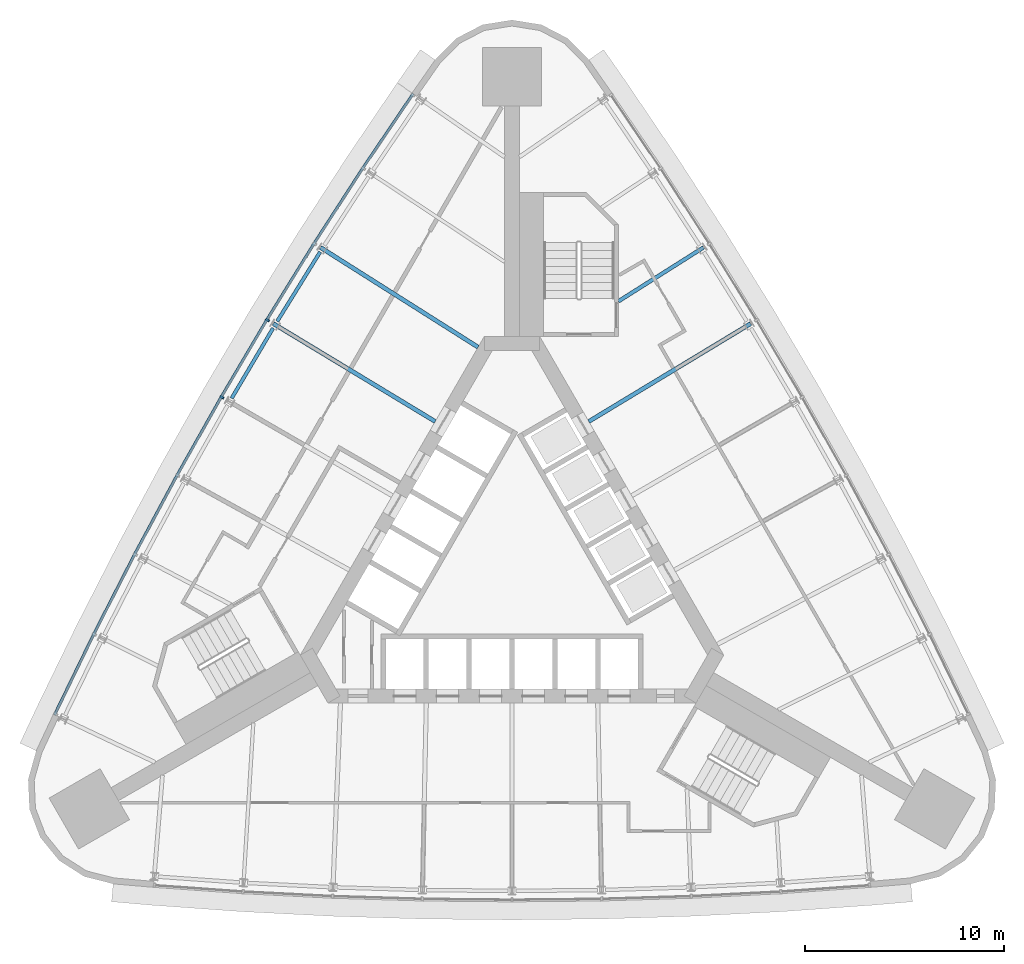
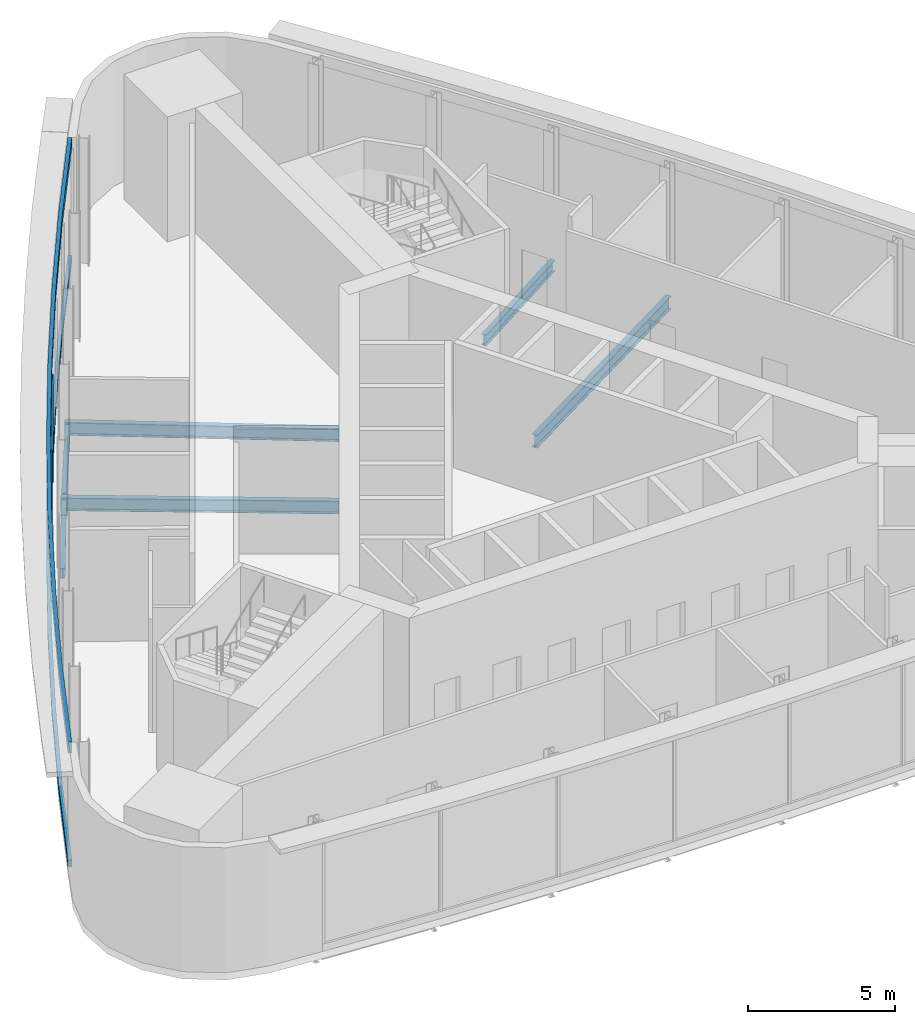
# One storey, part 3 of 11: 6 beams, 4 members, 1 element without a shape of its own.
"""IFC4 building model written with IfcOpenShell, lengths in metres."""

import ifcopenshell
import ifcopenshell.guid

model = None  # the IFC model being written
_history = None  # IfcOwnerHistory: only IFC2X3 demands one
_inside = {}  # id of a spatial element -> (the spatial element, [elements in it])
_under = {}  # id of a project, library or spatial element -> (it, [spatial elements below it])
_declared = {}  # id of a project -> (the project, [libraries it declares])
_typed = {}  # id of a type object -> (the type object, [elements of that type])
_made_of = {}  # id of a material, layer set ... -> (it, [elements and type objects made of it])


def new_model(schema):
    """Start an empty IFC model of exactly this schema.

    Asked for "IFC4X3", IfcOpenShell would pick the latest addendum, in which some entities
    have other attributes; the version numbers below select the first issue.
    IFC2X3 requires an IfcOwnerHistory on every rooted entity: one is made here for all.
    """
    global model, _history
    if schema == "IFC4X3":
        model = ifcopenshell.file(schema_version=(4, 3, 0, 0))
    else:
        model = ifcopenshell.file(schema=schema)
    _inside.clear()
    _under.clear()
    _declared.clear()
    _typed.clear()
    _made_of.clear()
    _history = None
    if model.schema == "IFC2X3":
        org = make("IfcOrganization", Name="unknown")
        user = make(
            "IfcPersonAndOrganization",
            ThePerson=make("IfcPerson", FamilyName="unknown"),
            TheOrganization=org,
        )
        app = make(
            "IfcApplication",
            ApplicationDeveloper=org,
            Version="unknown",
            ApplicationFullName="unknown",
            ApplicationIdentifier="unknown",
        )
        _history = make(
            "IfcOwnerHistory",
            OwningUser=user,
            OwningApplication=app,
            ChangeAction="ADDED",
            CreationDate=0,
        )
    return model


def make(cls, **values):
    """One entity of the class cls with the attributes given. An attribute that is None is left unset."""
    return model.create_entity(
        cls, **{name: value for name, value in values.items() if value is not None}
    )


def rooted(cls, **values):
    """An entity with a GlobalId (a new one), such as an element, a storey or a relation."""
    return make(cls, GlobalId=ifcopenshell.guid.new(), OwnerHistory=_history, **values)


def si_unit(unit_type, name, prefix=None):
    """IfcSIUnit, for example si_unit("LENGTHUNIT", "METRE", prefix="MILLI")."""
    return make("IfcSIUnit", UnitType=unit_type, Prefix=prefix, Name=name)


def assignment(units):
    """IfcUnitAssignment: the units of a project."""
    return None if units is None else make("IfcUnitAssignment", Units=units)


def point(xyz):
    """IfcCartesianPoint."""
    return None if xyz is None else make("IfcCartesianPoint", Coordinates=xyz)


def direction(xyz):
    """IfcDirection."""
    return None if xyz is None else make("IfcDirection", DirectionRatios=xyz)


def frame(location, z_axis=None, x_axis=None):
    """IfcAxis2Placement3D, a coordinate frame: its origin and axes. An axis left out is left unset."""
    return make(
        "IfcAxis2Placement3D",
        Location=point(location),
        Axis=direction(z_axis),
        RefDirection=direction(x_axis),
    )


def frame_2d(location, x_axis=None):
    """IfcAxis2Placement2D, a coordinate frame in the plane: its origin and x axis."""
    return make(
        "IfcAxis2Placement2D", Location=point(location), RefDirection=direction(x_axis)
    )


def origin():
    """The frame at (0, 0, 0) with its axes left unset."""
    return frame((0.0, 0.0, 0.0))


def origin_2d():
    """The frame at (0, 0) in the plane with its x axis left unset."""
    return frame_2d((0.0, 0.0))


def place(relative_to, where):
    """IfcLocalPlacement: puts the frame where relative to a parent placement (None: the world)."""
    return make(
        "IfcLocalPlacement", PlacementRelTo=relative_to, RelativePlacement=where
    )


def context(
    kind, dimensions, precision=None, world=None, true_north=None, identifier=None
):
    """IfcGeometricRepresentationContext, for example the 3D "Model" context."""
    return make(
        "IfcGeometricRepresentationContext",
        ContextIdentifier=identifier,
        ContextType=kind,
        CoordinateSpaceDimension=dimensions,
        Precision=precision,
        WorldCoordinateSystem=world,
        TrueNorth=true_north,
    )


def subcontext(parent, identifier, kind, view, scale=None):
    """IfcGeometricRepresentationSubContext, for example "Body" below "Model"."""
    return make(
        "IfcGeometricRepresentationSubContext",
        ContextIdentifier=identifier,
        ContextType=kind,
        ParentContext=parent,
        TargetScale=scale,
        TargetView=view,
    )


def project(units=None, contexts=None):
    """IfcProject with its units and contexts."""
    return rooted(
        "IfcProject",
        Name="project",
        RepresentationContexts=contexts,
        UnitsInContext=assignment(units),
    )


def spatial(cls, under=None, at=None, **own):
    """A site, building, storey or space (cls), placed at a placement, below another one or the project."""
    s = rooted(cls, ObjectPlacement=at, **own)
    if under is not None:
        _under.setdefault(under.id(), (under, []))[1].append(s)
    return s


def polyline(points):
    """IfcPolyline through the points."""
    return make("IfcPolyline", Points=[point(p) for p in points])


def profile(cls, at=None, kind="AREA", **sizes):
    """A parametric profile (cls). Its sizes go by their IFC names, for example OverallWidth=200.0."""
    return make(cls, ProfileType=kind, Position=at, **sizes)


def rectangle(**sizes):
    """IfcRectangleProfileDef."""
    return profile("IfcRectangleProfileDef", **sizes)


def i_section(**sizes):
    """IfcIShapeProfileDef."""
    return profile("IfcIShapeProfileDef", **sizes)


def outline(outer, holes=None, kind="AREA"):
    """IfcArbitraryClosedProfileDef: a profile drawn as a closed curve; with holes, ...WithVoids."""
    if holes is None:
        return make("IfcArbitraryClosedProfileDef", ProfileType=kind, OuterCurve=outer)
    return make(
        "IfcArbitraryProfileDefWithVoids",
        ProfileType=kind,
        OuterCurve=outer,
        InnerCurves=holes,
    )


def extrude(swept, where, along, depth):
    """IfcExtrudedAreaSolid: the profile swept, set in the frame where, extruded along a direction by depth."""
    return make(
        "IfcExtrudedAreaSolid",
        SweptArea=swept,
        Position=where,
        ExtrudedDirection=direction(along),
        Depth=depth,
    )


def shape(context_of_items, identifier, shape_type, items):
    """IfcShapeRepresentation: the items that make up one representation, for example the "Body"."""
    return make(
        "IfcShapeRepresentation",
        ContextOfItems=context_of_items,
        RepresentationIdentifier=identifier,
        RepresentationType=shape_type,
        Items=items,
    )


def material(Name=None, Category=None):
    """IfcMaterial."""
    return make("IfcMaterial", Name=Name, Category=Category)


def material_profile(
    of_material, cross_section, Name=None, Category=None, Priority=None
):
    """IfcMaterialProfile: a cross section and its material."""
    return make(
        "IfcMaterialProfile",
        Name=Name,
        Material=of_material,
        Profile=cross_section,
        Priority=Priority,
        Category=Category,
    )


def profile_set(profiles, Name=None, composite=None):
    """IfcMaterialProfileSet."""
    return make(
        "IfcMaterialProfileSet",
        Name=Name,
        MaterialProfiles=profiles,
        CompositeProfile=composite,
    )


def made_of(thing, what):
    """Note that an element or type object is made of a material, layer set ...; save() writes the relation."""
    if what is not None:
        _made_of.setdefault(what.id(), (what, []))[1].append(thing)
    return thing


def type_object(cls, material=None, **own):
    """A type object (cls), such as IfcWallType, which elements share."""
    return made_of(rooted(cls, **own), material)


def element(
    cls,
    number,
    at=None,
    inside=None,
    cuts=None,
    type_object=None,
    material=None,
    context=None,
    identifier="Body",
    shape_type=None,
    held_by="IfcProductDefinitionShape",
    body=None,
    shapes=None,
    **own,
):
    """One element of the class cls, such as IfcWall. Its Tag is "e" and its number.

    at: its placement. inside: the storey or other place that contains it. cuts: it is an
    opening in that element (IfcRelVoidsElement). A single representation is given by context,
    identifier, shape_type and body (its items); several are given by shapes. held_by: the class
    of the entity that holds the representations. save() writes the other relations.
    """
    e = rooted(cls, Tag="e%d" % number, ObjectPlacement=at, **own)
    if body is not None:
        shapes = [shape(context, identifier, shape_type, body)]
    if shapes is not None:
        e.Representation = make(held_by, Representations=shapes)
    if inside is not None:
        _inside.setdefault(inside.id(), (inside, []))[1].append(e)
    if cuts is not None:
        rooted(
            "IfcRelVoidsElement", RelatingBuildingElement=cuts, RelatedOpeningElement=e
        )
    if type_object is not None:
        _typed.setdefault(type_object.id(), (type_object, []))[1].append(e)
    return made_of(e, material)


def aggregate(whole, parts):
    """IfcRelAggregates: a whole, such as a stair, and the parts it consists of."""
    return rooted("IfcRelAggregates", RelatingObject=whole, RelatedObjects=parts)


def save(model, path):
    """Write the relations noted so far, then the file.

    IfcRelAggregates (storeys below a building ...), IfcRelContainedInSpatialStructure (elements
    in a storey), IfcRelDefinesByType, IfcRelAssociatesMaterial and IfcRelDeclares: one each for
    every whole, place, type object, material and project.
    """
    for whole, parts in _under.values():
        aggregate(whole, parts)
    for where, things in _inside.values():
        rooted(
            "IfcRelContainedInSpatialStructure",
            RelatedElements=things,
            RelatingStructure=where,
        )
    for kind, things in _typed.values():
        rooted("IfcRelDefinesByType", RelatedObjects=things, RelatingType=kind)
    for what, things in _made_of.values():
        rooted("IfcRelAssociatesMaterial", RelatedObjects=things, RelatingMaterial=what)
    for by, libraries in _declared.values():
        rooted("IfcRelDeclares", RelatingContext=by, RelatedDefinitions=libraries)
    model.write(path)


model = new_model("IFC4")

# Units and contexts
model_context = context("Model", 3, precision=1e-05, world=origin(), true_north=direction((0.0, 1.0)))
body_context = subcontext(model_context, "Body", "Model", "MODEL_VIEW")
ifc_project = project(units=[si_unit("LENGTHUNIT", "METRE"), si_unit("AREAUNIT", "SQUARE_METRE"), si_unit("VOLUMEUNIT", "CUBIC_METRE"), si_unit("PLANEANGLEUNIT", "RADIAN"), si_unit("MASSUNIT", "GRAM", prefix="KILO")], contexts=[model_context])

# Site, building, storey
site_placement = place(None, origin())
site = spatial("IfcSite", under=ifc_project, at=site_placement, CompositionType="ELEMENT")
building_placement = place(site_placement, origin())
building = spatial("IfcBuilding", under=site, at=building_placement, Name="Noor Cloister Tower", CompositionType="ELEMENT")
storey_placement = place(building_placement, frame((0.0, 0.0, 134.699951171875)))
storey = spatial("IfcBuildingStorey", under=building, at=storey_placement, Name="L34", CompositionType="ELEMENT", Elevation=134.699951171875)

# Curtain wall, members
ifc_material_1 = material(Name="Aluminium 6063-T6 anodised", Category="aluminium")
curtain_wall_type = type_object("IfcCurtainWallType", Name="Full height glass wall, sky lobby and observation deck CW3", PredefinedType="NOTDEFINED", material=ifc_material_1)
curtain_wall_placement = place(storey_placement, origin())
curtain_wall = element("IfcCurtainWall", 1, at=curtain_wall_placement, inside=storey, type_object=curtain_wall_type, Name="CW3 L34 NW run 1", PredefinedType="NOTDEFINED")
ifc_material_2 = material(Name="Aluminium 6063-T6 anodised", Category="aluminium")
member_type_1 = type_object("IfcMemberType", Name="Head transom CW3 450", PredefinedType="USERDEFINED", material=ifc_material_2)
member_1_placement = place(storey_placement, frame((0.0, 0.0, 4.75)))
member_1 = element("IfcMember", 2, at=member_1_placement, type_object=member_type_1, Name="CW3 head transom", ObjectType="TRANSOM", PredefinedType="USERDEFINED", context=body_context, shape_type="SweptSolid", body=[
    extrude(outline(polyline([(-5.0126953125, 23.65576171875), (-7.533447265625, 19.92822265625), (-9.978271484375, 16.150390625), (-12.345703125, 12.323486328125), (-14.635009765625, 8.449462890625), (-16.845458984375, 4.52978515625), (-18.9755859375, 0.566162109375), (-21.025146484375, -3.43994140625), (-22.992919921875, -7.48681640625), (-22.866943359375, -7.548095703125), (-20.89990234375, -3.50244140625), (-18.851806640625, 0.501220703125), (-16.72265625, 4.46240234375), (-14.513916015625, 8.379638671875), (-12.225830078125, 12.251220703125), (-9.85986328125, 16.075439453125), (-7.416748046875, 19.85107421875), (-4.896728515625, 23.577392578125), (-5.0126953125, 23.65576171875)])), origin(), (0.0, 0.0, 1.0), 0.449951171875),
])
ifc_material_3 = material(Name="Aluminium 6063-T6 anodised", Category="aluminium")
ifc_material_profile_1 = material_profile(ifc_material_3, rectangle(XDim=0.199951171875, YDim=0.10009765625, at=origin_2d()), Name="200 x 100 mullion")
ifc_profile_set_1 = profile_set([ifc_material_profile_1], Name="Aluminium 6063-T6 anodised")
member_type_2 = type_object("IfcMemberType", Name="Mullion CW3 100 x 200", PredefinedType="MULLION", material=ifc_profile_set_1)
member_2_placement = place(storey_placement, frame((-12.26025390625, 12.271728515625, 0.300048828125), z_axis=(0.0, 0.0, 1.0), x_axis=(0.855700352132, -0.517471648848, 0.0)))
member_2 = element("IfcMember", 3, at=member_2_placement, type_object=member_type_2, Name="CW3 mullion 4", PredefinedType="MULLION", context=body_context, shape_type="SweptSolid", body=[
    extrude(rectangle(XDim=0.199951171875, YDim=0.10009765625, at=origin_2d()), origin(), (0.0, 0.0, 1.0), 4.449951171875),
])
member_3_placement = place(storey_placement, frame((-14.548583984375, 8.399658203125, 0.300048828125), z_axis=(0.0, 0.0, 1.0), x_axis=(0.866025403784, -0.5, 0.0)))
member_3 = element("IfcMember", 4, at=member_3_placement, type_object=member_type_2, Name="CW3 mullion 5", PredefinedType="MULLION", context=body_context, shape_type="SweptSolid", body=[
    extrude(rectangle(XDim=0.199951171875, YDim=0.10009765625, at=origin_2d()), origin(), (0.0, 0.0, 1.0), 4.449951171875),
])

# Beams
ifc_material_4 = material(Name="Steel ASTM A992 Gr 50", Category="steel")
ifc_material_profile_2 = material_profile(ifc_material_4, i_section(OverallWidth=0.19091796875, OverallDepth=0.45703125, WebThickness=0.009033203125, FlangeThickness=0.014404296875, FilletRadius=0.01025390625, at=origin_2d()), Name="W460x74")
ifc_profile_set_2 = profile_set([ifc_material_profile_2], Name="Steel ASTM A992 Gr 50")
beam_type_1 = type_object("IfcBeamType", Name="Radial beam W460x74", PredefinedType="BEAM", material=ifc_profile_set_2)
beam_1_placement = place(storey_placement, frame((9.603759765625, 15.91357421875, -0.528564453125), z_axis=(-0.845014204235, -0.534743858909, 0.0), x_axis=(0.534743858909, -0.845014204235, 0.0)))
element("IfcBeam", 5, at=beam_1_placement, inside=storey, type_object=beam_type_1, Name="Radial beam NE 07 L34", PredefinedType="BEAM", context=body_context, shape_type="SweptSolid", body=[
    extrude(i_section(OverallWidth=0.19091796875, OverallDepth=0.45703125, WebThickness=0.009033203125, FlangeThickness=0.014404296875, FilletRadius=0.01025390625, at=origin_2d()), origin(), (0.0, 0.0, 1.0), 5.05078125),
])
ifc_material_5 = material(Name="Steel ASTM A992 Gr 50", Category="steel")
ifc_material_profile_3 = material_profile(ifc_material_5, i_section(OverallWidth=0.208984375, OverallDepth=0.532958984375, WebThickness=0.01025390625, FlangeThickness=0.015625, FilletRadius=0.0126953125, at=origin_2d()), Name="W530x92")
ifc_profile_set_3 = profile_set([ifc_material_profile_3], Name="Steel ASTM A992 Gr 50")
beam_type_2 = type_object("IfcBeamType", Name="Radial beam W530x92", PredefinedType="BEAM", material=ifc_profile_set_3)
beam_2_placement = place(storey_placement, frame((-9.603759765625, 15.91357421875, -0.56640625), z_axis=(0.845014088193, -0.534744042281, 0.0), x_axis=(0.534744042281, 0.845014088193, 0.0)))
element("IfcBeam", 6, at=beam_2_placement, inside=storey, type_object=beam_type_2, Name="Radial beam NW 03 L34", PredefinedType="BEAM", context=body_context, shape_type="SweptSolid", body=[
    extrude(i_section(OverallWidth=0.208984375, OverallDepth=0.532958984375, WebThickness=0.01025390625, FlangeThickness=0.015625, FilletRadius=0.0126953125, at=origin_2d()), origin(), (0.0, 0.0, 1.0), 9.353515625),
])
for number, where, z_axis, x_axis, name in (
    (7, (-11.966552734375, 12.09423828125, -0.56640625), (0.855707066619, -0.51746054549, 0.0), (0.51746054549, 0.855707066619, 0.0), "Radial beam NW 04 L34"),
    (8, (11.966552734375, 12.09423828125, -0.56640625), (-0.855707066619, -0.51746054549, 0.0), (0.51746054549, -0.855707066619, 0.0), "Radial beam NE 06 L34"),
):
    element("IfcBeam", number, at=place(storey_placement, frame(where, z_axis=z_axis, x_axis=x_axis)), inside=storey, type_object=beam_type_2, Name=name, PredefinedType="BEAM", context=body_context, shape_type="SweptSolid", body=[
        extrude(i_section(OverallWidth=0.208984375, OverallDepth=0.532958984375, WebThickness=0.01025390625, FlangeThickness=0.015625, FilletRadius=0.0126953125, at=origin_2d()), origin(), (0.0, 0.0, 1.0), 9.484130859375),
    ])

# Member
ifc_material_6 = material(Name="Aluminium 6063-T6 anodised", Category="aluminium")
member_type_3 = type_object("IfcMemberType", Name="Sill transom CW3 300", PredefinedType="USERDEFINED", material=ifc_material_6)
member_4_placement = place(storey_placement, origin())
member_4 = element("IfcMember", 9, at=member_4_placement, type_object=member_type_3, Name="CW3 sill transom", ObjectType="TRANSOM", PredefinedType="USERDEFINED", context=body_context, shape_type="SweptSolid", body=[
    extrude(outline(polyline([(-5.0126953125, 23.65576171875), (-7.533447265625, 19.92822265625), (-9.978271484375, 16.150390625), (-12.345703125, 12.323486328125), (-14.635009765625, 8.449462890625), (-16.845458984375, 4.52978515625), (-18.9755859375, 0.566162109375), (-21.025146484375, -3.43994140625), (-22.992919921875, -7.48681640625), (-22.866943359375, -7.548095703125), (-20.89990234375, -3.50244140625), (-18.851806640625, 0.501220703125), (-16.72265625, 4.46240234375), (-14.513916015625, 8.379638671875), (-12.225830078125, 12.251220703125), (-9.85986328125, 16.075439453125), (-7.416748046875, 19.85107421875), (-4.896728515625, 23.577392578125), (-5.0126953125, 23.65576171875)])), origin(), (0.0, 0.0, 1.0), 0.300048828125),
])

aggregate(curtain_wall, [member_2, member_3, member_4, member_1])

# Beams
ifc_material_7 = material(Name="Steel ASTM A992 Gr 50", Category="steel")
ifc_material_profile_4 = material_profile(ifc_material_7, i_section(OverallWidth=0.177978515625, OverallDepth=0.406005859375, WebThickness=0.0078125, FlangeThickness=0.0126953125, FilletRadius=0.01025390625, at=origin_2d()), Name="W410x60")
ifc_profile_set_4 = profile_set([ifc_material_profile_4], Name="Steel ASTM A992 Gr 50")
beam_type_3 = type_object("IfcBeamType", Name="Spandrel beam W410x60", PredefinedType="SPANDREL", material=ifc_profile_set_4)
for number, where, z_axis, x_axis, name in (
    (10, (-9.618408203125, 15.6865234375, -0.5029296875), (-0.526124412901, -0.850407609414, 0.0), (0.850407609414, -0.526124412901, 0.0), "Spandrel beam NW 03 L34"),
    (11, (-11.9765625, 11.8671875, -0.5029296875), (-0.508795681005, -0.860887306789, 0.0), (0.860887306789, -0.508795681005, 0.0), "Spandrel beam NW 04 L34"),
):
    element("IfcBeam", number, at=place(storey_placement, frame(where, z_axis=z_axis, x_axis=x_axis)), inside=storey, type_object=beam_type_3, Name=name, PredefinedType="SPANDREL", context=body_context, shape_type="SweptSolid", body=[
        extrude(i_section(OverallWidth=0.177978515625, OverallDepth=0.406005859375, WebThickness=0.0078125, FlangeThickness=0.0126953125, FilletRadius=0.01025390625, at=origin_2d()), origin(), (0.0, 0.0, 1.0), 4.089599609375),
    ])

save(model, "model.ifc")
